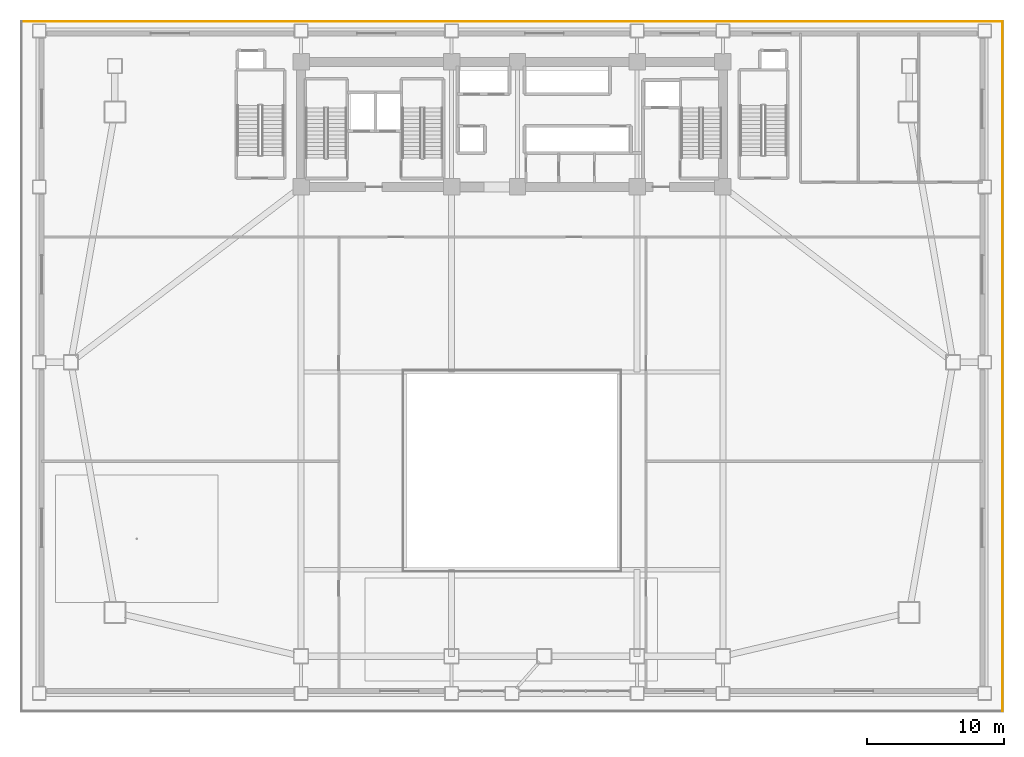
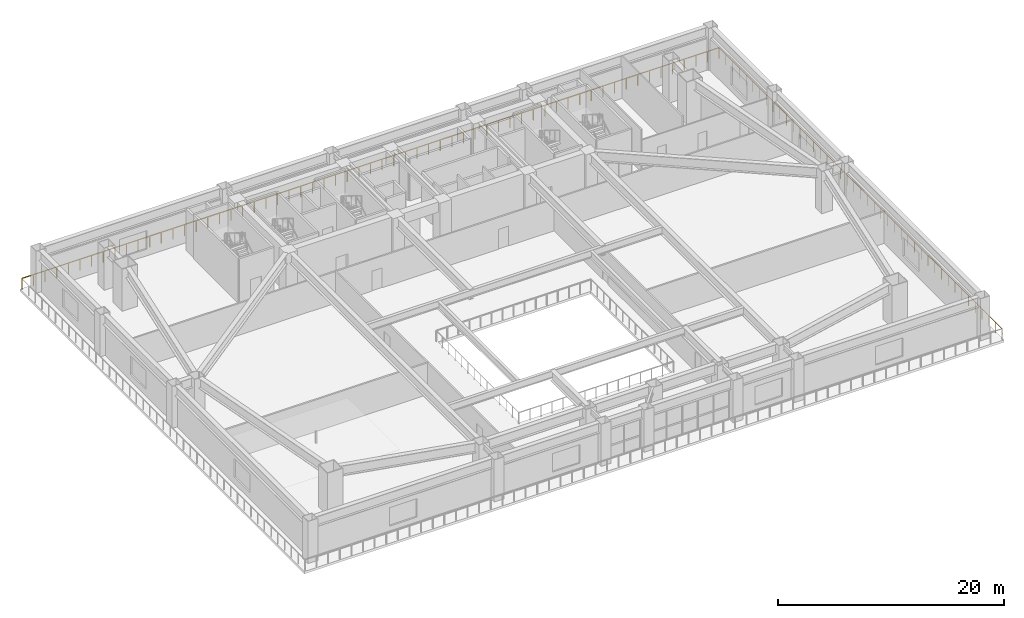
# One storey, part 14 of 14: 2 railings.
"""IFC4 building model written with IfcOpenShell, lengths in metres."""

from ifc_helpers import new_model, si_unit, direction, frame, origin, origin_2d, place, context, subcontext, project, spatial, rectangle, extrude, material, type_object, element, save


model = new_model("IFC4")

# Units and contexts
model_context = context("Model", 3, precision=1e-05, world=origin(), true_north=direction((0.0, 1.0)))
body_context = subcontext(model_context, "Body", "Model", "MODEL_VIEW")
ifc_project = project(units=[si_unit("LENGTHUNIT", "METRE"), si_unit("AREAUNIT", "SQUARE_METRE"), si_unit("VOLUMEUNIT", "CUBIC_METRE"), si_unit("PLANEANGLEUNIT", "RADIAN"), si_unit("MASSUNIT", "GRAM", prefix="KILO")], contexts=[model_context])

# Site, building, storey
site_placement = place(None, origin())
site = spatial("IfcSite", under=ifc_project, at=site_placement, CompositionType="ELEMENT")
building_placement = place(site_placement, origin())
building = spatial("IfcBuilding", under=site, at=building_placement, Name="Giltprow Tower", CompositionType="ELEMENT")
storey_placement = place(building_placement, frame((0.0, 0.0, 5.60009765625)))
storey = spatial("IfcBuildingStorey", under=building, at=storey_placement, Name="L02", CompositionType="ELEMENT", Elevation=5.60009765625)

# Railings
ifc_material = material(Name="Anodized bronze", Category="metal")
railing_type = type_object("IfcRailingType", Name="RAIL-BALC-GUARD-1200", PredefinedType="BALUSTRADE", material=ifc_material)
railing_1_placement = place(storey_placement, frame((70.8798828125, -0.679931640625, 0.0)))
element("IfcRailing", 1, at=railing_1_placement, inside=storey, type_object=railing_type, Name="L02 Podium Perimeter Cornice Balustrade Seg 2", PredefinedType="BALUSTRADE", context=body_context, shape_type="SweptSolid", body=[
    extrude(rectangle(XDim=0.048095703125, YDim=0.048095703125, at=origin_2d()), frame((0.0, 0.0, 1.17578125), z_axis=(0.0, 1.0, 0.0), x_axis=(-1.0, 0.0, 0.0)), (0.0, 0.0, 1.0), 50.159912109375),
    extrude(rectangle(XDim=0.0419921875, YDim=0.0419921875, at=origin_2d()), origin(), (0.0, 0.0, 1.0), 1.15185546875),
    extrude(rectangle(XDim=0.0419921875, YDim=0.0419921875, at=origin_2d()), frame((0.0, 1.1943359375, 0.0)), (0.0, 0.0, 1.0), 1.15185546875),
    extrude(rectangle(XDim=0.0419921875, YDim=0.0419921875, at=origin_2d()), frame((0.0, 2.388671875, 0.0)), (0.0, 0.0, 1.0), 1.15185546875),
    extrude(rectangle(XDim=0.0419921875, YDim=0.0419921875, at=origin_2d()), frame((0.0, 3.582763671875, 0.0)), (0.0, 0.0, 1.0), 1.15185546875),
    extrude(rectangle(XDim=0.0419921875, YDim=0.0419921875, at=origin_2d()), frame((0.0, 4.777099609375, 0.0)), (0.0, 0.0, 1.0), 1.15185546875),
    extrude(rectangle(XDim=0.0419921875, YDim=0.0419921875, at=origin_2d()), frame((0.0, 5.971435546875, 0.0)), (0.0, 0.0, 1.0), 1.15185546875),
    extrude(rectangle(XDim=0.0419921875, YDim=0.0419921875, at=origin_2d()), frame((0.0, 7.165771484375, 0.0)), (0.0, 0.0, 1.0), 1.15185546875),
    extrude(rectangle(XDim=0.0419921875, YDim=0.0419921875, at=origin_2d()), frame((0.0, 8.35986328125, 0.0)), (0.0, 0.0, 1.0), 1.15185546875),
    extrude(rectangle(XDim=0.0419921875, YDim=0.0419921875, at=origin_2d()), frame((0.0, 9.55419921875, 0.0)), (0.0, 0.0, 1.0), 1.15185546875),
    extrude(rectangle(XDim=0.0419921875, YDim=0.0419921875, at=origin_2d()), frame((0.0, 10.74853515625, 0.0)), (0.0, 0.0, 1.0), 1.15185546875),
    extrude(rectangle(XDim=0.0419921875, YDim=0.0419921875, at=origin_2d()), frame((0.0, 11.94287109375, 0.0)), (0.0, 0.0, 1.0), 1.15185546875),
    extrude(rectangle(XDim=0.0419921875, YDim=0.0419921875, at=origin_2d()), frame((0.0, 13.13720703125, 0.0)), (0.0, 0.0, 1.0), 1.15185546875),
    extrude(rectangle(XDim=0.0419921875, YDim=0.0419921875, at=origin_2d()), frame((0.0, 14.331298828125, 0.0)), (0.0, 0.0, 1.0), 1.15185546875),
    extrude(rectangle(XDim=0.0419921875, YDim=0.0419921875, at=origin_2d()), frame((0.0, 15.525634765625, 0.0)), (0.0, 0.0, 1.0), 1.15185546875),
    extrude(rectangle(XDim=0.0419921875, YDim=0.0419921875, at=origin_2d()), frame((0.0, 16.719970703125, 0.0)), (0.0, 0.0, 1.0), 1.15185546875),
    extrude(rectangle(XDim=0.0419921875, YDim=0.0419921875, at=origin_2d()), frame((0.0, 17.914306640625, 0.0)), (0.0, 0.0, 1.0), 1.15185546875),
    extrude(rectangle(XDim=0.0419921875, YDim=0.0419921875, at=origin_2d()), frame((0.0, 19.108642578125, 0.0)), (0.0, 0.0, 1.0), 1.15185546875),
    extrude(rectangle(XDim=0.0419921875, YDim=0.0419921875, at=origin_2d()), frame((0.0, 20.302734375, 0.0)), (0.0, 0.0, 1.0), 1.15185546875),
    extrude(rectangle(XDim=0.0419921875, YDim=0.0419921875, at=origin_2d()), frame((0.0, 21.4970703125, 0.0)), (0.0, 0.0, 1.0), 1.15185546875),
    extrude(rectangle(XDim=0.0419921875, YDim=0.0419921875, at=origin_2d()), frame((0.0, 22.69140625, 0.0)), (0.0, 0.0, 1.0), 1.15185546875),
    extrude(rectangle(XDim=0.0419921875, YDim=0.0419921875, at=origin_2d()), frame((0.0, 23.8857421875, 0.0)), (0.0, 0.0, 1.0), 1.15185546875),
    extrude(rectangle(XDim=0.0419921875, YDim=0.0419921875, at=origin_2d()), frame((0.0, 25.080078125, 0.0)), (0.0, 0.0, 1.0), 1.15185546875),
    extrude(rectangle(XDim=0.0419921875, YDim=0.0419921875, at=origin_2d()), frame((0.0, 26.274169921875, 0.0)), (0.0, 0.0, 1.0), 1.15185546875),
    extrude(rectangle(XDim=0.0419921875, YDim=0.0419921875, at=origin_2d()), frame((0.0, 27.468505859375, 0.0)), (0.0, 0.0, 1.0), 1.15185546875),
    extrude(rectangle(XDim=0.0419921875, YDim=0.0419921875, at=origin_2d()), frame((0.0, 28.662841796875, 0.0)), (0.0, 0.0, 1.0), 1.15185546875),
    extrude(rectangle(XDim=0.0419921875, YDim=0.0419921875, at=origin_2d()), frame((0.0, 29.857177734375, 0.0)), (0.0, 0.0, 1.0), 1.15185546875),
    extrude(rectangle(XDim=0.0419921875, YDim=0.0419921875, at=origin_2d()), frame((0.0, 31.05126953125, 0.0)), (0.0, 0.0, 1.0), 1.15185546875),
    extrude(rectangle(XDim=0.0419921875, YDim=0.0419921875, at=origin_2d()), frame((0.0, 32.24560546875, 0.0)), (0.0, 0.0, 1.0), 1.15185546875),
    extrude(rectangle(XDim=0.0419921875, YDim=0.0419921875, at=origin_2d()), frame((0.0, 33.43994140625, 0.0)), (0.0, 0.0, 1.0), 1.15185546875),
    extrude(rectangle(XDim=0.0419921875, YDim=0.0419921875, at=origin_2d()), frame((0.0, 34.63427734375, 0.0)), (0.0, 0.0, 1.0), 1.15185546875),
    extrude(rectangle(XDim=0.0419921875, YDim=0.0419921875, at=origin_2d()), frame((0.0, 35.82861328125, 0.0)), (0.0, 0.0, 1.0), 1.15185546875),
    extrude(rectangle(XDim=0.0419921875, YDim=0.0419921875, at=origin_2d()), frame((0.0, 37.022705078125, 0.0)), (0.0, 0.0, 1.0), 1.15185546875),
    extrude(rectangle(XDim=0.0419921875, YDim=0.0419921875, at=origin_2d()), frame((0.0, 38.217041015625, 0.0)), (0.0, 0.0, 1.0), 1.15185546875),
    extrude(rectangle(XDim=0.0419921875, YDim=0.0419921875, at=origin_2d()), frame((0.0, 39.411376953125, 0.0)), (0.0, 0.0, 1.0), 1.15185546875),
    extrude(rectangle(XDim=0.0419921875, YDim=0.0419921875, at=origin_2d()), frame((0.0, 40.605712890625, 0.0)), (0.0, 0.0, 1.0), 1.15185546875),
    extrude(rectangle(XDim=0.0419921875, YDim=0.0419921875, at=origin_2d()), frame((0.0, 41.7998046875, 0.0)), (0.0, 0.0, 1.0), 1.15185546875),
    extrude(rectangle(XDim=0.0419921875, YDim=0.0419921875, at=origin_2d()), frame((0.0, 42.994140625, 0.0)), (0.0, 0.0, 1.0), 1.15185546875),
    extrude(rectangle(XDim=0.0419921875, YDim=0.0419921875, at=origin_2d()), frame((0.0, 44.1884765625, 0.0)), (0.0, 0.0, 1.0), 1.15185546875),
    extrude(rectangle(XDim=0.0419921875, YDim=0.0419921875, at=origin_2d()), frame((0.0, 45.3828125, 0.0)), (0.0, 0.0, 1.0), 1.15185546875),
    extrude(rectangle(XDim=0.0419921875, YDim=0.0419921875, at=origin_2d()), frame((0.0, 46.5771484375, 0.0)), (0.0, 0.0, 1.0), 1.15185546875),
    extrude(rectangle(XDim=0.0419921875, YDim=0.0419921875, at=origin_2d()), frame((0.0, 47.771240234375, 0.0)), (0.0, 0.0, 1.0), 1.15185546875),
    extrude(rectangle(XDim=0.0419921875, YDim=0.0419921875, at=origin_2d()), frame((0.0, 48.965576171875, 0.0)), (0.0, 0.0, 1.0), 1.15185546875),
    extrude(rectangle(XDim=0.0419921875, YDim=0.0419921875, at=origin_2d()), frame((0.0, 50.159912109375, 0.0)), (0.0, 0.0, 1.0), 1.15185546875),
])
railing_2_placement = place(storey_placement, frame((70.8798828125, 49.47998046875, 0.0)))
element("IfcRailing", 2, at=railing_2_placement, inside=storey, type_object=railing_type, Name="L02 Podium Perimeter Cornice Balustrade Seg 3", PredefinedType="BALUSTRADE", context=body_context, shape_type="SweptSolid", body=[
    extrude(rectangle(XDim=0.048095703125, YDim=0.048095703125, at=origin_2d()), frame((0.0, 0.0, 1.17578125), z_axis=(-1.0, 0.0, 0.0), x_axis=(0.0, -1.0, 0.0)), (0.0, 0.0, 1.0), 71.35986328125),
    extrude(rectangle(XDim=0.0419921875, YDim=0.0419921875, at=origin_2d()), origin(), (0.0, 0.0, 1.0), 1.15185546875),
    extrude(rectangle(XDim=0.0419921875, YDim=0.0419921875, at=origin_2d()), frame((-1.189453125, 0.0, 0.0)), (0.0, 0.0, 1.0), 1.15185546875),
    extrude(rectangle(XDim=0.0419921875, YDim=0.0419921875, at=origin_2d()), frame((-2.378662109375, 0.0, 0.0)), (0.0, 0.0, 1.0), 1.15185546875),
    extrude(rectangle(XDim=0.0419921875, YDim=0.0419921875, at=origin_2d()), frame((-3.56787109375, 0.0, 0.0)), (0.0, 0.0, 1.0), 1.15185546875),
    extrude(rectangle(XDim=0.0419921875, YDim=0.0419921875, at=origin_2d()), frame((-4.75732421875, 0.0, 0.0)), (0.0, 0.0, 1.0), 1.15185546875),
    extrude(rectangle(XDim=0.0419921875, YDim=0.0419921875, at=origin_2d()), frame((-5.94677734375, 0.0, 0.0)), (0.0, 0.0, 1.0), 1.15185546875),
    extrude(rectangle(XDim=0.0419921875, YDim=0.0419921875, at=origin_2d()), frame((-7.135986328125, 0.0, 0.0)), (0.0, 0.0, 1.0), 1.15185546875),
    extrude(rectangle(XDim=0.0419921875, YDim=0.0419921875, at=origin_2d()), frame((-8.3251953125, 0.0, 0.0)), (0.0, 0.0, 1.0), 1.15185546875),
    extrude(rectangle(XDim=0.0419921875, YDim=0.0419921875, at=origin_2d()), frame((-9.5146484375, 0.0, 0.0)), (0.0, 0.0, 1.0), 1.15185546875),
    extrude(rectangle(XDim=0.0419921875, YDim=0.0419921875, at=origin_2d()), frame((-10.7041015625, 0.0, 0.0)), (0.0, 0.0, 1.0), 1.15185546875),
    extrude(rectangle(XDim=0.0419921875, YDim=0.0419921875, at=origin_2d()), frame((-11.893310546875, 0.0, 0.0)), (0.0, 0.0, 1.0), 1.15185546875),
    extrude(rectangle(XDim=0.0419921875, YDim=0.0419921875, at=origin_2d()), frame((-13.08251953125, 0.0, 0.0)), (0.0, 0.0, 1.0), 1.15185546875),
    extrude(rectangle(XDim=0.0419921875, YDim=0.0419921875, at=origin_2d()), frame((-14.27197265625, 0.0, 0.0)), (0.0, 0.0, 1.0), 1.15185546875),
    extrude(rectangle(XDim=0.0419921875, YDim=0.0419921875, at=origin_2d()), frame((-15.46142578125, 0.0, 0.0)), (0.0, 0.0, 1.0), 1.15185546875),
    extrude(rectangle(XDim=0.0419921875, YDim=0.0419921875, at=origin_2d()), frame((-16.650634765625, 0.0, 0.0)), (0.0, 0.0, 1.0), 1.15185546875),
    extrude(rectangle(XDim=0.0419921875, YDim=0.0419921875, at=origin_2d()), frame((-17.83984375, 0.0, 0.0)), (0.0, 0.0, 1.0), 1.15185546875),
    extrude(rectangle(XDim=0.0419921875, YDim=0.0419921875, at=origin_2d()), frame((-19.029296875, 0.0, 0.0)), (0.0, 0.0, 1.0), 1.15185546875),
    extrude(rectangle(XDim=0.0419921875, YDim=0.0419921875, at=origin_2d()), frame((-20.21875, 0.0, 0.0)), (0.0, 0.0, 1.0), 1.15185546875),
    extrude(rectangle(XDim=0.0419921875, YDim=0.0419921875, at=origin_2d()), frame((-21.407958984375, 0.0, 0.0)), (0.0, 0.0, 1.0), 1.15185546875),
    extrude(rectangle(XDim=0.0419921875, YDim=0.0419921875, at=origin_2d()), frame((-22.59716796875, 0.0, 0.0)), (0.0, 0.0, 1.0), 1.15185546875),
    extrude(rectangle(XDim=0.0419921875, YDim=0.0419921875, at=origin_2d()), frame((-23.78662109375, 0.0, 0.0)), (0.0, 0.0, 1.0), 1.15185546875),
    extrude(rectangle(XDim=0.0419921875, YDim=0.0419921875, at=origin_2d()), frame((-24.97607421875, 0.0, 0.0)), (0.0, 0.0, 1.0), 1.15185546875),
    extrude(rectangle(XDim=0.0419921875, YDim=0.0419921875, at=origin_2d()), frame((-26.165283203125, 0.0, 0.0)), (0.0, 0.0, 1.0), 1.15185546875),
    extrude(rectangle(XDim=0.0419921875, YDim=0.0419921875, at=origin_2d()), frame((-27.354736328125, 0.0, 0.0)), (0.0, 0.0, 1.0), 1.15185546875),
    extrude(rectangle(XDim=0.0419921875, YDim=0.0419921875, at=origin_2d()), frame((-28.5439453125, 0.0, 0.0)), (0.0, 0.0, 1.0), 1.15185546875),
    extrude(rectangle(XDim=0.0419921875, YDim=0.0419921875, at=origin_2d()), frame((-29.7333984375, 0.0, 0.0)), (0.0, 0.0, 1.0), 1.15185546875),
    extrude(rectangle(XDim=0.0419921875, YDim=0.0419921875, at=origin_2d()), frame((-30.922607421875, 0.0, 0.0)), (0.0, 0.0, 1.0), 1.15185546875),
    extrude(rectangle(XDim=0.0419921875, YDim=0.0419921875, at=origin_2d()), frame((-32.11181640625, 0.0, 0.0)), (0.0, 0.0, 1.0), 1.15185546875),
    extrude(rectangle(XDim=0.0419921875, YDim=0.0419921875, at=origin_2d()), frame((-33.30126953125, 0.0, 0.0)), (0.0, 0.0, 1.0), 1.15185546875),
    extrude(rectangle(XDim=0.0419921875, YDim=0.0419921875, at=origin_2d()), frame((-34.49072265625, 0.0, 0.0)), (0.0, 0.0, 1.0), 1.15185546875),
    extrude(rectangle(XDim=0.0419921875, YDim=0.0419921875, at=origin_2d()), frame((-35.679931640625, 0.0, 0.0)), (0.0, 0.0, 1.0), 1.15185546875),
    extrude(rectangle(XDim=0.0419921875, YDim=0.0419921875, at=origin_2d()), frame((-36.869384765625, 0.0, 0.0)), (0.0, 0.0, 1.0), 1.15185546875),
    extrude(rectangle(XDim=0.0419921875, YDim=0.0419921875, at=origin_2d()), frame((-38.05859375, 0.0, 0.0)), (0.0, 0.0, 1.0), 1.15185546875),
    extrude(rectangle(XDim=0.0419921875, YDim=0.0419921875, at=origin_2d()), frame((-39.248046875, 0.0, 0.0)), (0.0, 0.0, 1.0), 1.15185546875),
    extrude(rectangle(XDim=0.0419921875, YDim=0.0419921875, at=origin_2d()), frame((-40.437255859375, 0.0, 0.0)), (0.0, 0.0, 1.0), 1.15185546875),
    extrude(rectangle(XDim=0.0419921875, YDim=0.0419921875, at=origin_2d()), frame((-41.62646484375, 0.0, 0.0)), (0.0, 0.0, 1.0), 1.15185546875),
    extrude(rectangle(XDim=0.0419921875, YDim=0.0419921875, at=origin_2d()), frame((-42.81591796875, 0.0, 0.0)), (0.0, 0.0, 1.0), 1.15185546875),
    extrude(rectangle(XDim=0.0419921875, YDim=0.0419921875, at=origin_2d()), frame((-44.00537109375, 0.0, 0.0)), (0.0, 0.0, 1.0), 1.15185546875),
    extrude(rectangle(XDim=0.0419921875, YDim=0.0419921875, at=origin_2d()), frame((-45.194580078125, 0.0, 0.0)), (0.0, 0.0, 1.0), 1.15185546875),
    extrude(rectangle(XDim=0.0419921875, YDim=0.0419921875, at=origin_2d()), frame((-46.3837890625, 0.0, 0.0)), (0.0, 0.0, 1.0), 1.15185546875),
    extrude(rectangle(XDim=0.0419921875, YDim=0.0419921875, at=origin_2d()), frame((-47.5732421875, 0.0, 0.0)), (0.0, 0.0, 1.0), 1.15185546875),
    extrude(rectangle(XDim=0.0419921875, YDim=0.0419921875, at=origin_2d()), frame((-48.7626953125, 0.0, 0.0)), (0.0, 0.0, 1.0), 1.15185546875),
    extrude(rectangle(XDim=0.0419921875, YDim=0.0419921875, at=origin_2d()), frame((-49.951904296875, 0.0, 0.0)), (0.0, 0.0, 1.0), 1.15185546875),
    extrude(rectangle(XDim=0.0419921875, YDim=0.0419921875, at=origin_2d()), frame((-51.14111328125, 0.0, 0.0)), (0.0, 0.0, 1.0), 1.15185546875),
    extrude(rectangle(XDim=0.0419921875, YDim=0.0419921875, at=origin_2d()), frame((-52.33056640625, 0.0, 0.0)), (0.0, 0.0, 1.0), 1.15185546875),
    extrude(rectangle(XDim=0.0419921875, YDim=0.0419921875, at=origin_2d()), frame((-53.52001953125, 0.0, 0.0)), (0.0, 0.0, 1.0), 1.15185546875),
    extrude(rectangle(XDim=0.0419921875, YDim=0.0419921875, at=origin_2d()), frame((-54.709228515625, 0.0, 0.0)), (0.0, 0.0, 1.0), 1.15185546875),
    extrude(rectangle(XDim=0.0419921875, YDim=0.0419921875, at=origin_2d()), frame((-55.8984375, 0.0, 0.0)), (0.0, 0.0, 1.0), 1.15185546875),
    extrude(rectangle(XDim=0.0419921875, YDim=0.0419921875, at=origin_2d()), frame((-57.087890625, 0.0, 0.0)), (0.0, 0.0, 1.0), 1.15185546875),
    extrude(rectangle(XDim=0.0419921875, YDim=0.0419921875, at=origin_2d()), frame((-58.27734375, 0.0, 0.0)), (0.0, 0.0, 1.0), 1.15185546875),
    extrude(rectangle(XDim=0.0419921875, YDim=0.0419921875, at=origin_2d()), frame((-59.466552734375, 0.0, 0.0)), (0.0, 0.0, 1.0), 1.15185546875),
    extrude(rectangle(XDim=0.0419921875, YDim=0.0419921875, at=origin_2d()), frame((-60.65576171875, 0.0, 0.0)), (0.0, 0.0, 1.0), 1.15185546875),
    extrude(rectangle(XDim=0.0419921875, YDim=0.0419921875, at=origin_2d()), frame((-61.84521484375, 0.0, 0.0)), (0.0, 0.0, 1.0), 1.15185546875),
    extrude(rectangle(XDim=0.0419921875, YDim=0.0419921875, at=origin_2d()), frame((-63.03466796875, 0.0, 0.0)), (0.0, 0.0, 1.0), 1.15185546875),
    extrude(rectangle(XDim=0.0419921875, YDim=0.0419921875, at=origin_2d()), frame((-64.223876953125, 0.0, 0.0)), (0.0, 0.0, 1.0), 1.15185546875),
    extrude(rectangle(XDim=0.0419921875, YDim=0.0419921875, at=origin_2d()), frame((-65.4130859375, 0.0, 0.0)), (0.0, 0.0, 1.0), 1.15185546875),
    extrude(rectangle(XDim=0.0419921875, YDim=0.0419921875, at=origin_2d()), frame((-66.6025390625, 0.0, 0.0)), (0.0, 0.0, 1.0), 1.15185546875),
    extrude(rectangle(XDim=0.0419921875, YDim=0.0419921875, at=origin_2d()), frame((-67.7919921875, 0.0, 0.0)), (0.0, 0.0, 1.0), 1.15185546875),
    extrude(rectangle(XDim=0.0419921875, YDim=0.0419921875, at=origin_2d()), frame((-68.981201171875, 0.0, 0.0)), (0.0, 0.0, 1.0), 1.15185546875),
    extrude(rectangle(XDim=0.0419921875, YDim=0.0419921875, at=origin_2d()), frame((-70.17041015625, 0.0, 0.0)), (0.0, 0.0, 1.0), 1.15185546875),
    extrude(rectangle(XDim=0.0419921875, YDim=0.0419921875, at=origin_2d()), frame((-71.35986328125, 0.0, 0.0)), (0.0, 0.0, 1.0), 1.15185546875),
])

save(model, "model.ifc")
